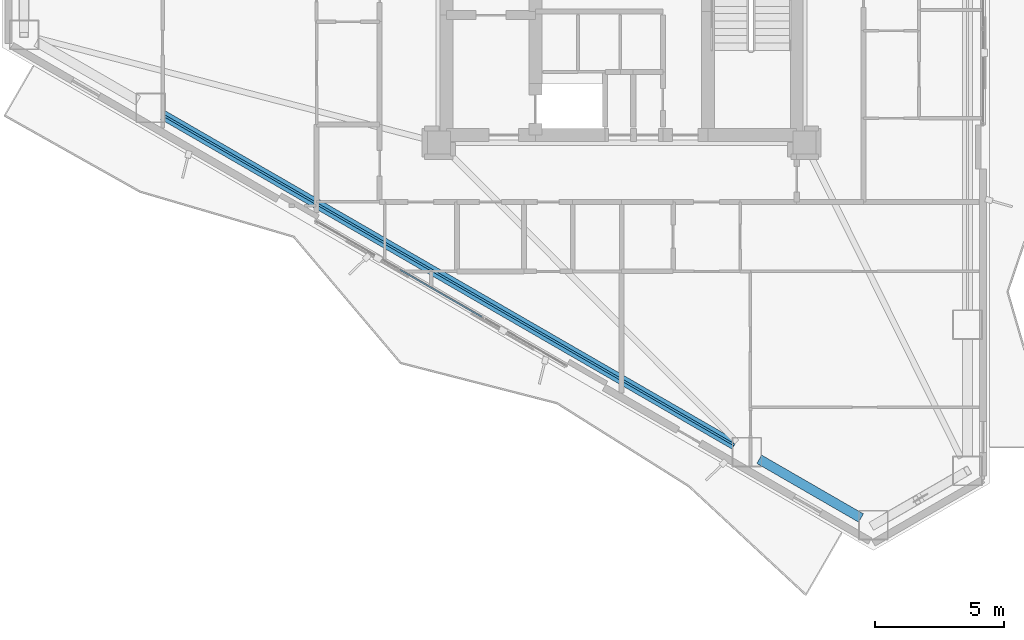
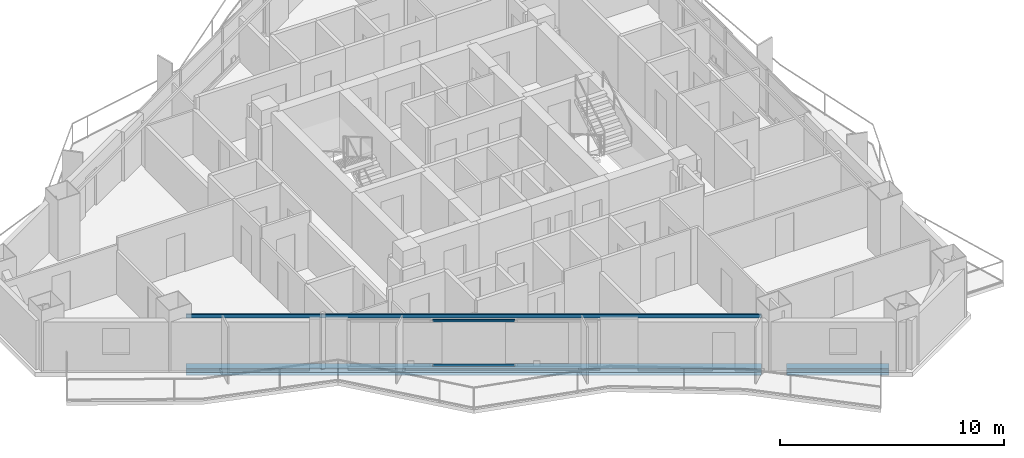
# One storey, part 3 of 22: 3 beams, 2 members, 1 element without a shape of its own.
"""IFC4 building model written with IfcOpenShell, lengths in metres."""

from ifc_helpers import new_model, si_unit, direction, frame, origin, origin_2d, place, context, subcontext, project, spatial, hollow_rectangle, i_section, extrude, material, layer, layer_set, material_profile, profile_set, type_object, element, aggregate, save


model = new_model("IFC4")

# Units and contexts
model_context = context("Model", 3, precision=1e-05, world=origin(), true_north=direction((0.0, 1.0)))
body_context = subcontext(model_context, "Body", "Model", "MODEL_VIEW")
ifc_project = project(units=[si_unit("LENGTHUNIT", "METRE"), si_unit("AREAUNIT", "SQUARE_METRE"), si_unit("VOLUMEUNIT", "CUBIC_METRE"), si_unit("PLANEANGLEUNIT", "RADIAN"), si_unit("MASSUNIT", "GRAM", prefix="KILO")], contexts=[model_context])

# Site, building, storey
site_placement = place(None, origin())
site = spatial("IfcSite", under=ifc_project, at=site_placement, CompositionType="ELEMENT")
building_placement = place(site_placement, origin())
building = spatial("IfcBuilding", under=site, at=building_placement, Name="Mersakhor Tower and Convention Hall", CompositionType="ELEMENT")
storey_placement = place(building_placement, frame((0.0, 0.0, 76.800048828125)))
storey = spatial("IfcBuildingStorey", under=building, at=storey_placement, Name="L20", CompositionType="ELEMENT", Elevation=76.800048828125)

# Beams
ifc_material_1 = material(Name="Steel S355", Category="steel")
ifc_material_profile_1 = material_profile(ifc_material_1, hollow_rectangle(XDim=0.080078125, YDim=0.179931640625, WallThickness=0.008056640625, at=origin_2d()), Name="RHS 180x80x8")
ifc_profile_set_1 = profile_set([ifc_material_profile_1], Name="Steel S355")
beam_type_1 = type_object("IfcBeamType", Name="BM-GRT-RHS180", PredefinedType="USERDEFINED", material=ifc_profile_set_1)
beam_1_placement = place(storey_placement, frame((33.38232421875, 8.706787109375, 2.47998046875), z_axis=(-0.866022538643, 0.500004962538, 0.0), x_axis=(-0.500004962538, -0.866022538643, 0.0)))
element("IfcBeam", 1, at=beam_1_placement, inside=storey, type_object=beam_type_1, Name="L20 Facade Support Girt GRT-F3", ObjectType="GIRT", PredefinedType="USERDEFINED", context=body_context, shape_type="SweptSolid", body=[
    extrude(hollow_rectangle(XDim=0.080078125, YDim=0.179931640625, WallThickness=0.008056640625, at=origin_2d()), origin(), (0.0, 0.0, 1.0), 25.633544921875),
])
ifc_material_2 = material(Name="Steel S355", Category="steel")
ifc_material_profile_2 = material_profile(ifc_material_2, i_section(OverallWidth=0.374755859375, OverallDepth=0.37451171875, WebThickness=0.0166015625, FlangeThickness=0.027099609375, at=origin_2d()), Name="UC 356x368x202")
ifc_profile_set_2 = profile_set([ifc_material_profile_2], Name="Steel S355")
beam_type_2 = type_object("IfcBeamType", Name="BM-SPD-UC356", PredefinedType="SPANDREL", material=ifc_profile_set_2)
beam_2_placement = place(storey_placement, frame((38.298095703125, 5.868896484375, -0.437255859375), z_axis=(-0.866046694585, 0.499963121439, 0.0), x_axis=(-0.499963121439, -0.866046694585, 0.0)))
element("IfcBeam", 2, at=beam_2_placement, inside=storey, type_object=beam_type_2, Name="L20 Perimeter Spandrel Beam SPB-09", PredefinedType="SPANDREL", context=body_context, shape_type="SweptSolid", body=[
    extrude(i_section(OverallWidth=0.374755859375, OverallDepth=0.37451171875, WebThickness=0.0166015625, FlangeThickness=0.027099609375, at=origin_2d()), origin(), (0.0, 0.0, 1.0), 4.566162109375),
])
beam_3_placement = place(storey_placement, frame((33.38232421875, 8.706787109375, -0.437255859375), z_axis=(-0.866022538643, 0.500004962538, 0.0), x_axis=(-0.500004962538, -0.866022538643, 0.0)))
element("IfcBeam", 3, at=beam_3_placement, inside=storey, type_object=beam_type_2, Name="L20 Perimeter Spandrel Beam SPB-10", PredefinedType="SPANDREL", context=body_context, shape_type="SweptSolid", body=[
    extrude(i_section(OverallWidth=0.374755859375, OverallDepth=0.37451171875, WebThickness=0.0166015625, FlangeThickness=0.027099609375, at=origin_2d()), origin(), (0.0, 0.0, 1.0), 25.633544921875),
])

# Curtain wall, members
ifc_material_3 = material(Name="Dark solar low-E aluminium curtain wall", Category="aluminium")
ifc_layer = layer(ifc_material_3, 0.159912109375)
ifc_layer_set = layer_set([ifc_layer], Name="Dark solar low-E aluminium curtain wall")
curtain_wall_type = type_object("IfcCurtainWallType", Name="CW-SYS-01", PredefinedType="USERDEFINED", material=ifc_layer_set)
curtain_wall_placement = place(storey_placement, origin())
curtain_wall = element("IfcCurtainWall", 4, at=curtain_wall_placement, inside=storey, type_object=curtain_wall_type, Name="L20 Dark-Glass Curtain Wall F3-B2", ObjectType="CURTAIN WALL", PredefinedType="USERDEFINED")
ifc_material_4 = material(Name="Anodised aluminium EN AW-6063 T6", Category="aluminium")
ifc_material_profile_3 = material_profile(ifc_material_4, hollow_rectangle(XDim=0.06005859375, YDim=0.1201171875, WallThickness=0.0048828125, at=origin_2d()), Name="RHS 120x60x5")
ifc_profile_set_3 = profile_set([ifc_material_profile_3], Name="Anodised aluminium EN AW-6063 T6")
member_type = type_object("IfcMemberType", Name="CWT-120x60", PredefinedType="USERDEFINED", material=ifc_profile_set_3)
member_1_placement = place(storey_placement, frame((23.571044921875, 13.6787109375, 0.22998046875), z_axis=(-0.866039286129, 0.499975954304, 0.0), x_axis=(-0.499975954304, -0.866039286129, 0.0)))
member_1 = element("IfcMember", 5, at=member_1_placement, type_object=member_type, Name="CW-01 transom 2.1", ObjectType="TRANSOM", PredefinedType="USERDEFINED", context=body_context, shape_type="SweptSolid", body=[
    extrude(hollow_rectangle(XDim=0.06005859375, YDim=0.1201171875, WallThickness=0.0048828125, at=origin_2d()), origin(), (0.0, 0.0, 1.0), 3.668212890625),
])
member_2_placement = place(storey_placement, frame((23.571044921875, 13.6787109375, 2.639892578125), z_axis=(-0.866039286129, 0.499975954304, 0.0), x_axis=(-0.499975954304, -0.866039286129, 0.0)))
member_2 = element("IfcMember", 6, at=member_2_placement, type_object=member_type, Name="CW-01 transom 2.2", ObjectType="TRANSOM", PredefinedType="USERDEFINED", context=body_context, shape_type="SweptSolid", body=[
    extrude(hollow_rectangle(XDim=0.06005859375, YDim=0.1201171875, WallThickness=0.0048828125, at=origin_2d()), origin(), (0.0, 0.0, 1.0), 3.668212890625),
])
aggregate(curtain_wall, [member_1, member_2])

save(model, "model.ifc")
